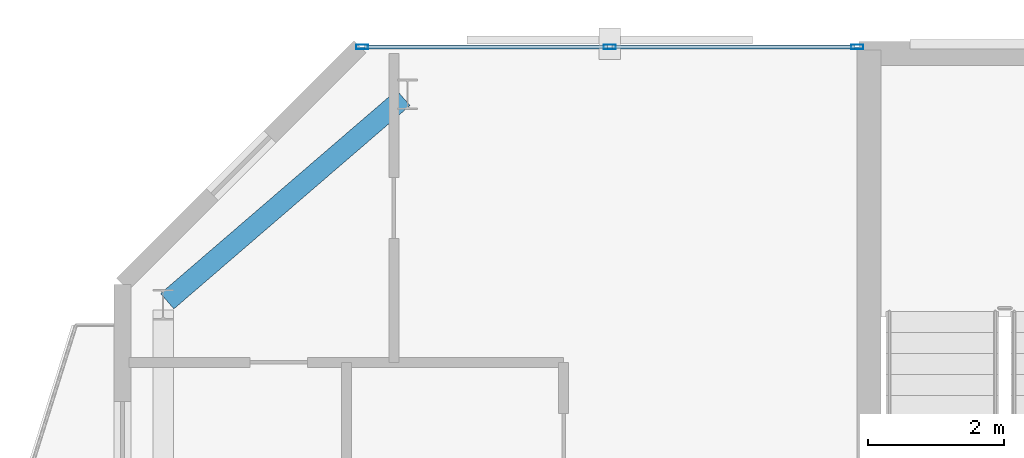
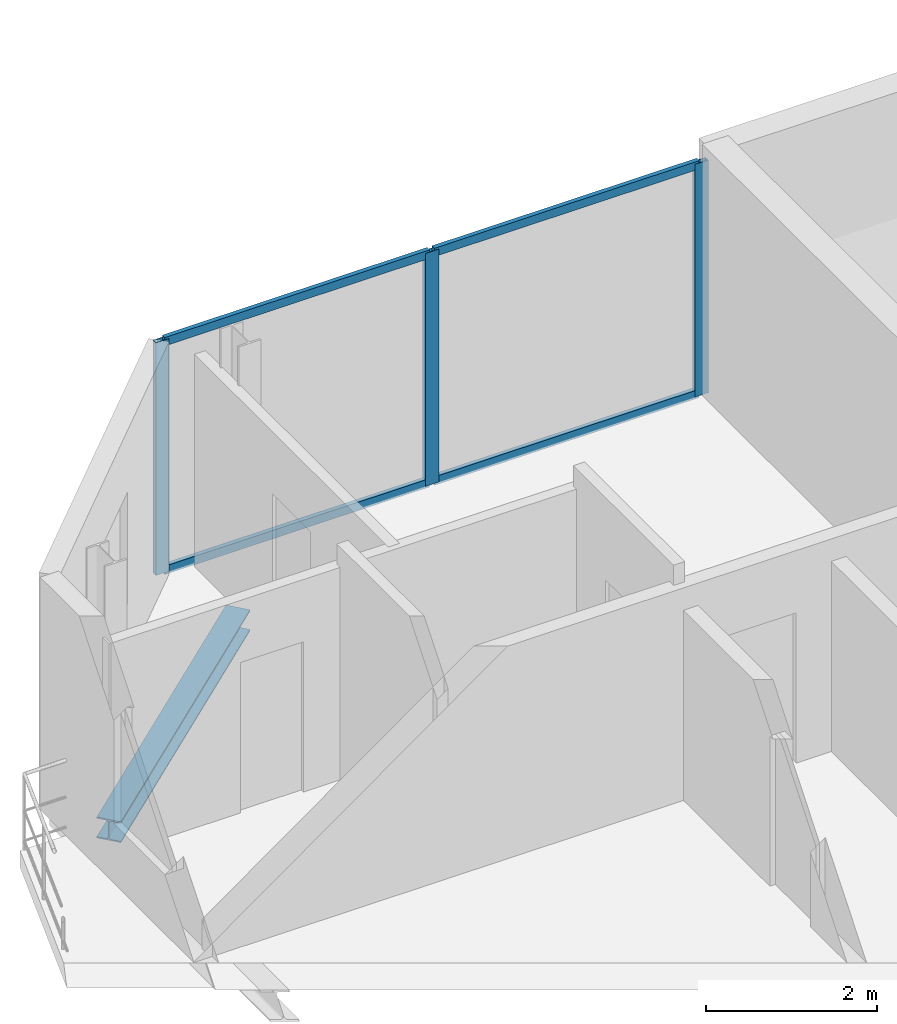
# One storey, part 15 of 23: 7 members, 1 beam, 1 element without a shape of its own.
"""IFC4 building model written with IfcOpenShell, lengths in metres."""

from ifc_helpers import new_model, si_unit, direction, frame, origin, origin_2d, place, context, subcontext, project, spatial, hollow_rectangle, i_section, extrude, material, layer, layer_set, material_profile, profile_set, type_object, element, aggregate, save


model = new_model("IFC4")

# Units and contexts
model_context = context("Model", 3, precision=1e-05, world=origin(), true_north=direction((0.0, 1.0)))
body_context = subcontext(model_context, "Body", "Model", "MODEL_VIEW")
ifc_project = project(units=[si_unit("LENGTHUNIT", "METRE"), si_unit("AREAUNIT", "SQUARE_METRE"), si_unit("VOLUMEUNIT", "CUBIC_METRE"), si_unit("PLANEANGLEUNIT", "RADIAN"), si_unit("MASSUNIT", "GRAM", prefix="KILO")], contexts=[model_context])

# Site, building, storey
site_placement = place(None, origin())
site = spatial("IfcSite", under=ifc_project, at=site_placement, CompositionType="ELEMENT")
building_placement = place(site_placement, origin())
building = spatial("IfcBuilding", under=site, at=building_placement, Name="Catumbela Crestline Tower", CompositionType="ELEMENT")
storey_placement = place(building_placement, frame((0.0, 0.0, 201.0)))
storey = spatial("IfcBuildingStorey", under=building, at=storey_placement, Name="L52", CompositionType="ELEMENT", Elevation=201.0)

# Curtain wall, members
ifc_material_1 = material(Name="Aluminium alloy AW-6060-T66", Category="aluminium")
ifc_layer = layer(ifc_material_1, 0.18, Name="Aluminium alloy AW-6060-T66")
ifc_layer_set = layer_set([ifc_layer], Name="Aluminium alloy AW-6060-T66")
curtain_wall_type = type_object("IfcCurtainWallType", Name="CWU-Z3", PredefinedType="USERDEFINED", material=ifc_layer_set)
curtain_wall_placement = place(storey_placement, origin())
curtain_wall = element("IfcCurtainWall", 1, at=curtain_wall_placement, inside=storey, type_object=curtain_wall_type, Name="L52 Unitised Curtain Wall CW-L52-E7S2", ObjectType="UNITISED", PredefinedType="USERDEFINED")
ifc_material_profile_1 = material_profile(ifc_material_1, hollow_rectangle(XDim=0.065, YDim=0.18, WallThickness=0.004, at=origin_2d()), Name="ALU 180x65x4")
ifc_profile_set_1 = profile_set([ifc_material_profile_1], Name="Aluminium alloy AW-6060-T66")
member_type_1 = type_object("IfcMemberType", Name="MUL-180X65", PredefinedType="MULLION", material=ifc_profile_set_1)
member_1_placement = place(storey_placement, frame((15.8275, 43.0, 0.0), z_axis=(0.0, 0.0, 1.0), x_axis=(0.0, -1.0, 0.0)))
member_1 = element("IfcMember", 2, at=member_1_placement, type_object=member_type_1, Name="CWU-Z3 mullion 1", PredefinedType="MULLION", context=body_context, shape_type="SweptSolid", body=[
    extrude(hollow_rectangle(XDim=0.065, YDim=0.18, WallThickness=0.004, at=origin_2d()), origin(), (0.0, 0.0, 1.0), 3.33),
])
member_2_placement = place(storey_placement, frame((12.18, 43.0, 0.0), z_axis=(0.0, 0.0, 1.0), x_axis=(0.0, -1.0, 0.0)))
member_2 = element("IfcMember", 3, at=member_2_placement, type_object=member_type_1, Name="CWU-Z3 mullion 2", PredefinedType="MULLION", context=body_context, shape_type="SweptSolid", body=[
    extrude(hollow_rectangle(XDim=0.065, YDim=0.18, WallThickness=0.004, at=origin_2d()), origin(), (0.0, 0.0, 1.0), 3.33),
])
member_3_placement = place(storey_placement, frame((8.5325, 43.0, 0.0), z_axis=(0.0, 0.0, 1.0), x_axis=(0.0, -1.0, 0.0)))
member_3 = element("IfcMember", 4, at=member_3_placement, type_object=member_type_1, Name="CWU-Z3 mullion 3", PredefinedType="MULLION", context=body_context, shape_type="SweptSolid", body=[
    extrude(hollow_rectangle(XDim=0.065, YDim=0.18, WallThickness=0.004, at=origin_2d()), origin(), (0.0, 0.0, 1.0), 3.33),
])

# Beam
ifc_material_2 = material(Name="Structural steel S355J2", Category="steel")
ifc_material_profile_2 = material_profile(ifc_material_2, i_section(OverallWidth=0.3, OverallDepth=0.3, WebThickness=0.011, FlangeThickness=0.019, FilletRadius=0.027, at=origin_2d()), Name="HEB 300")
ifc_profile_set_2 = profile_set([ifc_material_profile_2], Name="Structural steel S355J2")
beam_type = type_object("IfcBeamType", Name="BS-HEB300", PredefinedType="SPANDREL", material=ifc_profile_set_2)
beam_placement = place(storey_placement, frame((5.6606, 39.2522, -0.41), z_axis=(0.757772392559, 0.652518966066, 0.0), x_axis=(-0.652518966066, 0.757772392559, 0.0)))
element("IfcBeam", 5, at=beam_placement, inside=storey, type_object=beam_type, Name="L52 Spandrel SP-L52-N10", PredefinedType="SPANDREL", context=body_context, shape_type="SweptSolid", body=[
    extrude(i_section(OverallWidth=0.3, OverallDepth=0.3, WebThickness=0.011, FlangeThickness=0.019, FilletRadius=0.027, at=origin_2d()), origin(), (0.0, 0.0, 1.0), 4.5908),
])

# Member
ifc_material_profile_3 = material_profile(ifc_material_1, hollow_rectangle(XDim=0.06, YDim=0.12, WallThickness=0.0035, at=origin_2d()), Name="ALU 120x60x3.5")
ifc_profile_set_3 = profile_set([ifc_material_profile_3], Name="Aluminium alloy AW-6060-T66")
member_type_2 = type_object("IfcMemberType", Name="TRN-120X60", PredefinedType="USERDEFINED", material=ifc_profile_set_3)
member_4_placement = place(storey_placement, frame((15.795, 43.0, 0.03), z_axis=(-1.0, 0.0, 0.0), x_axis=(0.0, -1.0, 0.0)))
member_4 = element("IfcMember", 6, at=member_4_placement, type_object=member_type_2, Name="CWU-Z3 transom 1.1", ObjectType="TRANSOM", PredefinedType="USERDEFINED", context=body_context, shape_type="SweptSolid", body=[
    extrude(hollow_rectangle(XDim=0.06, YDim=0.12, WallThickness=0.0035, at=origin_2d()), origin(), (0.0, 0.0, 1.0), 3.5825),
])

member_5_placement = place(storey_placement, frame((15.795, 43.0, 3.3), z_axis=(-1.0, 0.0, 0.0), x_axis=(0.0, -1.0, 0.0)))
member_5 = element("IfcMember", 7, at=member_5_placement, type_object=member_type_2, Name="CWU-Z3 transom 1.2", ObjectType="TRANSOM", PredefinedType="USERDEFINED", context=body_context, shape_type="SweptSolid", body=[
    extrude(hollow_rectangle(XDim=0.06, YDim=0.12, WallThickness=0.0035, at=origin_2d()), origin(), (0.0, 0.0, 1.0), 3.5825),
])

member_6_placement = place(storey_placement, frame((12.1475, 43.0, 0.03), z_axis=(-1.0, 0.0, 0.0), x_axis=(0.0, -1.0, 0.0)))
member_6 = element("IfcMember", 8, at=member_6_placement, type_object=member_type_2, Name="CWU-Z3 transom 2.1", ObjectType="TRANSOM", PredefinedType="USERDEFINED", context=body_context, shape_type="SweptSolid", body=[
    extrude(hollow_rectangle(XDim=0.06, YDim=0.12, WallThickness=0.0035, at=origin_2d()), origin(), (0.0, 0.0, 1.0), 3.5825),
])

member_7_placement = place(storey_placement, frame((12.1475, 43.0, 3.3), z_axis=(-1.0, 0.0, 0.0), x_axis=(0.0, -1.0, 0.0)))
member_7 = element("IfcMember", 9, at=member_7_placement, type_object=member_type_2, Name="CWU-Z3 transom 2.2", ObjectType="TRANSOM", PredefinedType="USERDEFINED", context=body_context, shape_type="SweptSolid", body=[
    extrude(hollow_rectangle(XDim=0.06, YDim=0.12, WallThickness=0.0035, at=origin_2d()), origin(), (0.0, 0.0, 1.0), 3.5825),
])

aggregate(curtain_wall, [member_1, member_2, member_3, member_4, member_5, member_6, member_7])

save(model, "model.ifc")
